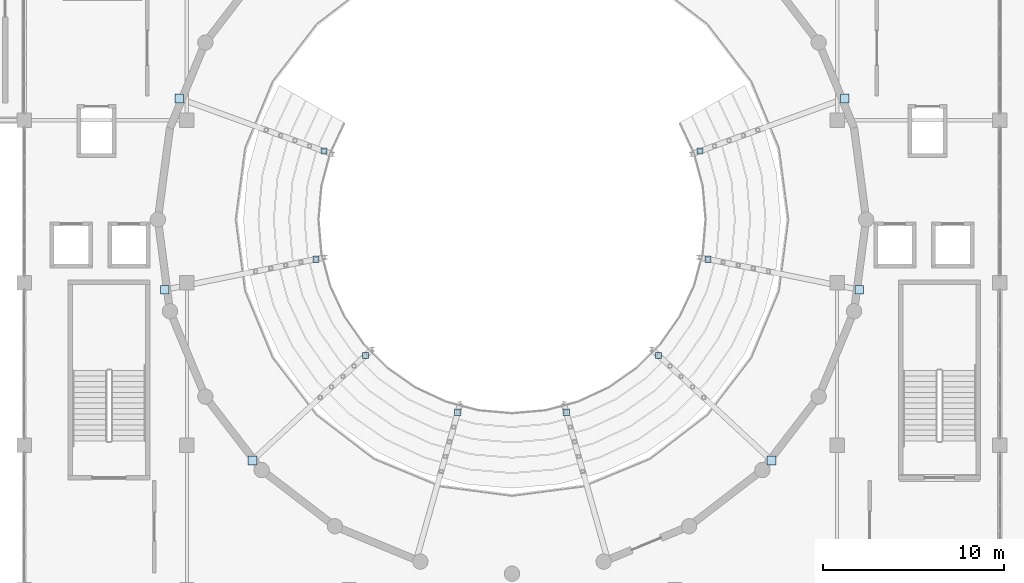
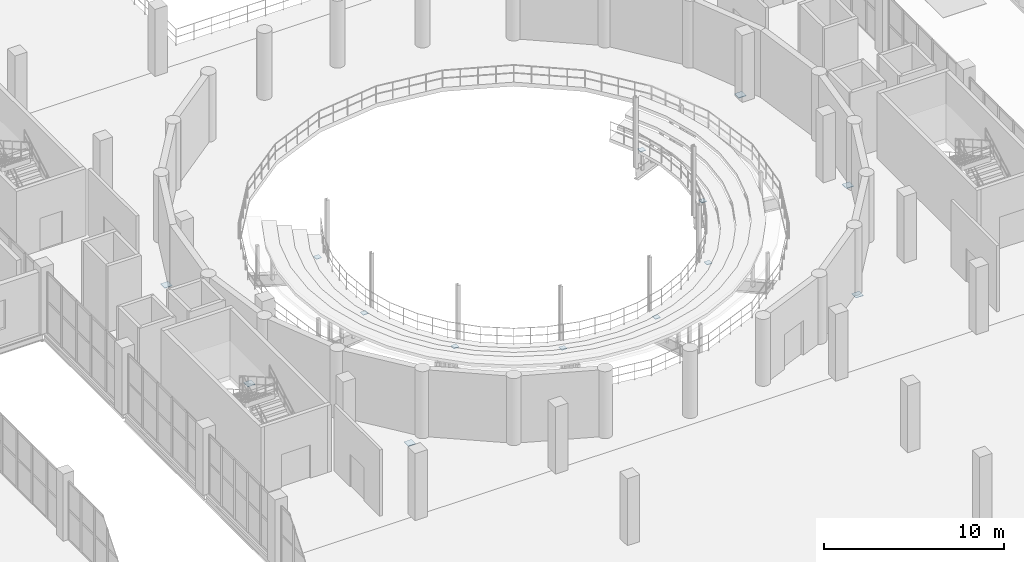
# One storey, part 65 of 93: 14 plates.
"""IFC4 building model written with IfcOpenShell, lengths in metres."""

import ifcopenshell
import ifcopenshell.guid

model = None  # the IFC model being written
_history = None  # IfcOwnerHistory: only IFC2X3 demands one
_inside = {}  # id of a spatial element -> (the spatial element, [elements in it])
_under = {}  # id of a project, library or spatial element -> (it, [spatial elements below it])
_declared = {}  # id of a project -> (the project, [libraries it declares])
_typed = {}  # id of a type object -> (the type object, [elements of that type])
_made_of = {}  # id of a material, layer set ... -> (it, [elements and type objects made of it])


def new_model(schema):
    """Start an empty IFC model of exactly this schema.

    Asked for "IFC4X3", IfcOpenShell would pick the latest addendum, in which some entities
    have other attributes; the version numbers below select the first issue.
    IFC2X3 requires an IfcOwnerHistory on every rooted entity: one is made here for all.
    """
    global model, _history
    if schema == "IFC4X3":
        model = ifcopenshell.file(schema_version=(4, 3, 0, 0))
    else:
        model = ifcopenshell.file(schema=schema)
    _inside.clear()
    _under.clear()
    _declared.clear()
    _typed.clear()
    _made_of.clear()
    _history = None
    if model.schema == "IFC2X3":
        org = make("IfcOrganization", Name="unknown")
        user = make(
            "IfcPersonAndOrganization",
            ThePerson=make("IfcPerson", FamilyName="unknown"),
            TheOrganization=org,
        )
        app = make(
            "IfcApplication",
            ApplicationDeveloper=org,
            Version="unknown",
            ApplicationFullName="unknown",
            ApplicationIdentifier="unknown",
        )
        _history = make(
            "IfcOwnerHistory",
            OwningUser=user,
            OwningApplication=app,
            ChangeAction="ADDED",
            CreationDate=0,
        )
    return model


def make(cls, **values):
    """One entity of the class cls with the attributes given. An attribute that is None is left unset."""
    return model.create_entity(
        cls, **{name: value for name, value in values.items() if value is not None}
    )


def rooted(cls, **values):
    """An entity with a GlobalId (a new one), such as an element, a storey or a relation."""
    return make(cls, GlobalId=ifcopenshell.guid.new(), OwnerHistory=_history, **values)


def si_unit(unit_type, name, prefix=None):
    """IfcSIUnit, for example si_unit("LENGTHUNIT", "METRE", prefix="MILLI")."""
    return make("IfcSIUnit", UnitType=unit_type, Prefix=prefix, Name=name)


def assignment(units):
    """IfcUnitAssignment: the units of a project."""
    return None if units is None else make("IfcUnitAssignment", Units=units)


def point(xyz):
    """IfcCartesianPoint."""
    return None if xyz is None else make("IfcCartesianPoint", Coordinates=xyz)


def direction(xyz):
    """IfcDirection."""
    return None if xyz is None else make("IfcDirection", DirectionRatios=xyz)


def frame(location, z_axis=None, x_axis=None):
    """IfcAxis2Placement3D, a coordinate frame: its origin and axes. An axis left out is left unset."""
    return make(
        "IfcAxis2Placement3D",
        Location=point(location),
        Axis=direction(z_axis),
        RefDirection=direction(x_axis),
    )


def frame_2d(location, x_axis=None):
    """IfcAxis2Placement2D, a coordinate frame in the plane: its origin and x axis."""
    return make(
        "IfcAxis2Placement2D", Location=point(location), RefDirection=direction(x_axis)
    )


def origin():
    """The frame at (0, 0, 0) with its axes left unset."""
    return frame((0.0, 0.0, 0.0))


def origin_2d():
    """The frame at (0, 0) in the plane with its x axis left unset."""
    return frame_2d((0.0, 0.0))


def place(relative_to, where):
    """IfcLocalPlacement: puts the frame where relative to a parent placement (None: the world)."""
    return make(
        "IfcLocalPlacement", PlacementRelTo=relative_to, RelativePlacement=where
    )


def context(
    kind, dimensions, precision=None, world=None, true_north=None, identifier=None
):
    """IfcGeometricRepresentationContext, for example the 3D "Model" context."""
    return make(
        "IfcGeometricRepresentationContext",
        ContextIdentifier=identifier,
        ContextType=kind,
        CoordinateSpaceDimension=dimensions,
        Precision=precision,
        WorldCoordinateSystem=world,
        TrueNorth=true_north,
    )


def subcontext(parent, identifier, kind, view, scale=None):
    """IfcGeometricRepresentationSubContext, for example "Body" below "Model"."""
    return make(
        "IfcGeometricRepresentationSubContext",
        ContextIdentifier=identifier,
        ContextType=kind,
        ParentContext=parent,
        TargetScale=scale,
        TargetView=view,
    )


def project(units=None, contexts=None):
    """IfcProject with its units and contexts."""
    return rooted(
        "IfcProject",
        Name="project",
        RepresentationContexts=contexts,
        UnitsInContext=assignment(units),
    )


def spatial(cls, under=None, at=None, **own):
    """A site, building, storey or space (cls), placed at a placement, below another one or the project."""
    s = rooted(cls, ObjectPlacement=at, **own)
    if under is not None:
        _under.setdefault(under.id(), (under, []))[1].append(s)
    return s


def profile(cls, at=None, kind="AREA", **sizes):
    """A parametric profile (cls). Its sizes go by their IFC names, for example OverallWidth=200.0."""
    return make(cls, ProfileType=kind, Position=at, **sizes)


def rectangle(**sizes):
    """IfcRectangleProfileDef."""
    return profile("IfcRectangleProfileDef", **sizes)


def extrude(swept, where, along, depth):
    """IfcExtrudedAreaSolid: the profile swept, set in the frame where, extruded along a direction by depth."""
    return make(
        "IfcExtrudedAreaSolid",
        SweptArea=swept,
        Position=where,
        ExtrudedDirection=direction(along),
        Depth=depth,
    )


def shape(context_of_items, identifier, shape_type, items):
    """IfcShapeRepresentation: the items that make up one representation, for example the "Body"."""
    return make(
        "IfcShapeRepresentation",
        ContextOfItems=context_of_items,
        RepresentationIdentifier=identifier,
        RepresentationType=shape_type,
        Items=items,
    )


def material(Name=None, Category=None):
    """IfcMaterial."""
    return make("IfcMaterial", Name=Name, Category=Category)


def layer(
    of_material, thickness, ventilated=None, Name=None, Category=None, Priority=None
):
    """IfcMaterialLayer: one layer of a wall or slab, of a material (None: an air gap)."""
    return make(
        "IfcMaterialLayer",
        Material=of_material,
        LayerThickness=thickness,
        IsVentilated=ventilated,
        Name=Name,
        Category=Category,
        Priority=Priority,
    )


def layer_set(layers, Name=None):
    """IfcMaterialLayerSet."""
    return make("IfcMaterialLayerSet", MaterialLayers=layers, LayerSetName=Name)


def made_of(thing, what):
    """Note that an element or type object is made of a material, layer set ...; save() writes the relation."""
    if what is not None:
        _made_of.setdefault(what.id(), (what, []))[1].append(thing)
    return thing


def type_object(cls, material=None, **own):
    """A type object (cls), such as IfcWallType, which elements share."""
    return made_of(rooted(cls, **own), material)


def element(
    cls,
    number,
    at=None,
    inside=None,
    cuts=None,
    type_object=None,
    material=None,
    context=None,
    identifier="Body",
    shape_type=None,
    held_by="IfcProductDefinitionShape",
    body=None,
    shapes=None,
    **own,
):
    """One element of the class cls, such as IfcWall. Its Tag is "e" and its number.

    at: its placement. inside: the storey or other place that contains it. cuts: it is an
    opening in that element (IfcRelVoidsElement). A single representation is given by context,
    identifier, shape_type and body (its items); several are given by shapes. held_by: the class
    of the entity that holds the representations. save() writes the other relations.
    """
    e = rooted(cls, Tag="e%d" % number, ObjectPlacement=at, **own)
    if body is not None:
        shapes = [shape(context, identifier, shape_type, body)]
    if shapes is not None:
        e.Representation = make(held_by, Representations=shapes)
    if inside is not None:
        _inside.setdefault(inside.id(), (inside, []))[1].append(e)
    if cuts is not None:
        rooted(
            "IfcRelVoidsElement", RelatingBuildingElement=cuts, RelatedOpeningElement=e
        )
    if type_object is not None:
        _typed.setdefault(type_object.id(), (type_object, []))[1].append(e)
    return made_of(e, material)


def aggregate(whole, parts):
    """IfcRelAggregates: a whole, such as a stair, and the parts it consists of."""
    return rooted("IfcRelAggregates", RelatingObject=whole, RelatedObjects=parts)


def save(model, path):
    """Write the relations noted so far, then the file.

    IfcRelAggregates (storeys below a building ...), IfcRelContainedInSpatialStructure (elements
    in a storey), IfcRelDefinesByType, IfcRelAssociatesMaterial and IfcRelDeclares: one each for
    every whole, place, type object, material and project.
    """
    for whole, parts in _under.values():
        aggregate(whole, parts)
    for where, things in _inside.values():
        rooted(
            "IfcRelContainedInSpatialStructure",
            RelatedElements=things,
            RelatingStructure=where,
        )
    for kind, things in _typed.values():
        rooted("IfcRelDefinesByType", RelatedObjects=things, RelatingType=kind)
    for what, things in _made_of.values():
        rooted("IfcRelAssociatesMaterial", RelatedObjects=things, RelatingMaterial=what)
    for by, libraries in _declared.values():
        rooted("IfcRelDeclares", RelatingContext=by, RelatedDefinitions=libraries)
    model.write(path)


model = new_model("IFC4")

# Units and contexts
model_context = context("Model", 3, precision=1e-05, world=origin(), true_north=direction((0.0, 1.0)))
body_context = subcontext(model_context, "Body", "Model", "MODEL_VIEW")
ifc_project = project(units=[si_unit("LENGTHUNIT", "METRE"), si_unit("AREAUNIT", "SQUARE_METRE"), si_unit("VOLUMEUNIT", "CUBIC_METRE"), si_unit("PLANEANGLEUNIT", "RADIAN"), si_unit("MASSUNIT", "GRAM", prefix="KILO")], contexts=[model_context])

# Site, building, storey
site_placement = place(None, origin())
site = spatial("IfcSite", under=ifc_project, at=site_placement, CompositionType="ELEMENT")
building_placement = place(site_placement, origin())
building = spatial("IfcBuilding", under=site, at=building_placement, Name="Marnock Terrace Opera House", CompositionType="ELEMENT")
storey_placement = place(building_placement, frame((0.0, 0.0, 5.39990234375)))
storey = spatial("IfcBuildingStorey", under=building, at=storey_placement, Name="L01", CompositionType="ELEMENT", Elevation=5.39990234375)

# Plates
ifc_material = material(Name="Steel Grade 350 (AS/NZS 3679.1)", Category="steel")
ifc_layer_1 = layer(ifc_material, 0.031982421875)
ifc_layer_set_1 = layer_set([ifc_layer_1], Name="Steel Grade 350 (AS/NZS 3679.1)")
plate_type_1 = type_object("IfcPlateType", Name="PLT-SHOE-340x32", PredefinedType="SHEET", material=ifc_layer_set_1)
for number, where, z_axis, x_axis, name in (
    (1, (71.593017578125, 64.287841796875, 0.10302734375), (0.0, 0.0, 1.0), (1.0, 0.0, 0.0), "L01 Auditorium tier support post 1.1 head bearing plate"),
    (2, (71.14453125, 58.305419921875, 0.10302734375), (0.0, 0.0, 1.0), (1.0, 0.0, 0.0), "L01 Auditorium tier support post 2.1 head bearing plate"),
    (3, (73.881591796875, 52.967041015625, 0.10302734375), (0.0, 0.0, 1.0), (1.0, 0.0, 0.0), "L01 Auditorium tier support post 3.1 head bearing plate"),
    (4, (79.00048828125, 49.8388671875, 0.10302734375), (0.0, 0.0, 1.0), (1.0, 0.0, 0.0), "L01 Auditorium tier support post 4.1 head bearing plate"),
    (5, (84.99951171875, 49.8388671875, 0.10302734375), (0.0, 0.0, 1.0), (1.0, 0.0, 0.0), "L01 Auditorium tier support post 5.1 head bearing plate"),
    (6, (90.118408203125, 52.967041015625, 0.10302734375), (0.0, 0.0, 1.0), (1.0, 0.0, 0.0), "L01 Auditorium tier support post 6.1 head bearing plate"),
    (7, (92.85546875, 58.305419921875, 0.10302734375), (0.0, 0.0, 1.0), (1.0, 0.0, 0.0), "L01 Auditorium tier support post 7.1 head bearing plate"),
    (8, (92.406982421875, 64.287841796875, 0.10302734375), (0.0, 0.0, 1.0), (1.0, 0.0, 0.0), "L01 Auditorium tier support post 8.1 head bearing plate"),
):
    element("IfcPlate", number, at=place(storey_placement, frame(where, z_axis=z_axis, x_axis=x_axis)), inside=storey, type_object=plate_type_1, Name=name, PredefinedType="SHEET", context=body_context, shape_type="SweptSolid", body=[
        extrude(rectangle(XDim=0.340087890625, YDim=0.340087890625, at=origin_2d()), origin(), (0.0, 0.0, 1.0), 0.031982421875),
    ])
ifc_layer_2 = layer(ifc_material, 0.035888671875)
ifc_layer_set_2 = layer_set([ifc_layer_2], Name="Steel Grade 350 (AS/NZS 3679.1)")
plate_type_2 = type_object("IfcPlateType", Name="PLT-SHOE-480x36", PredefinedType="SHEET", material=ifc_layer_set_2)
for number, where, z_axis, x_axis, name in (
    (9, (63.58203125, 67.20361328125, -0.74560546875), (0.0, 0.0, 1.0), (1.0, 0.0, 0.0), "L01 Auditorium raker girder 1 drum shear-wall cast-in embed plate"),
    (10, (62.78857421875, 56.6162109375, -0.74560546875), (0.0, 0.0, 1.0), (1.0, 0.0, 0.0), "L01 Auditorium raker girder 2 drum shear-wall cast-in embed plate"),
    (11, (67.632080078125, 47.168701171875, -0.74560546875), (0.0, 0.0, 1.0), (1.0, 0.0, 0.0), "L01 Auditorium raker girder 3 drum shear-wall cast-in embed plate"),
    (12, (96.367919921875, 47.168701171875, -0.74560546875), (0.0, 0.0, 1.0), (1.0, 0.0, 0.0), "L01 Auditorium raker girder 6 drum shear-wall cast-in embed plate"),
    (13, (101.21142578125, 56.6162109375, -0.74560546875), (0.0, 0.0, 1.0), (1.0, 0.0, 0.0), "L01 Auditorium raker girder 7 drum shear-wall cast-in embed plate"),
    (14, (100.41796875, 67.20361328125, -0.74560546875), (0.0, 0.0, 1.0), (1.0, 0.0, 0.0), "L01 Auditorium raker girder 8 drum shear-wall cast-in embed plate"),
):
    element("IfcPlate", number, at=place(storey_placement, frame(where, z_axis=z_axis, x_axis=x_axis)), inside=storey, type_object=plate_type_2, Name=name, PredefinedType="SHEET", context=body_context, shape_type="SweptSolid", body=[
        extrude(rectangle(XDim=0.47998046875, YDim=0.47998046875, at=origin_2d()), origin(), (0.0, 0.0, 1.0), 0.035888671875),
    ])

save(model, "model.ifc")
